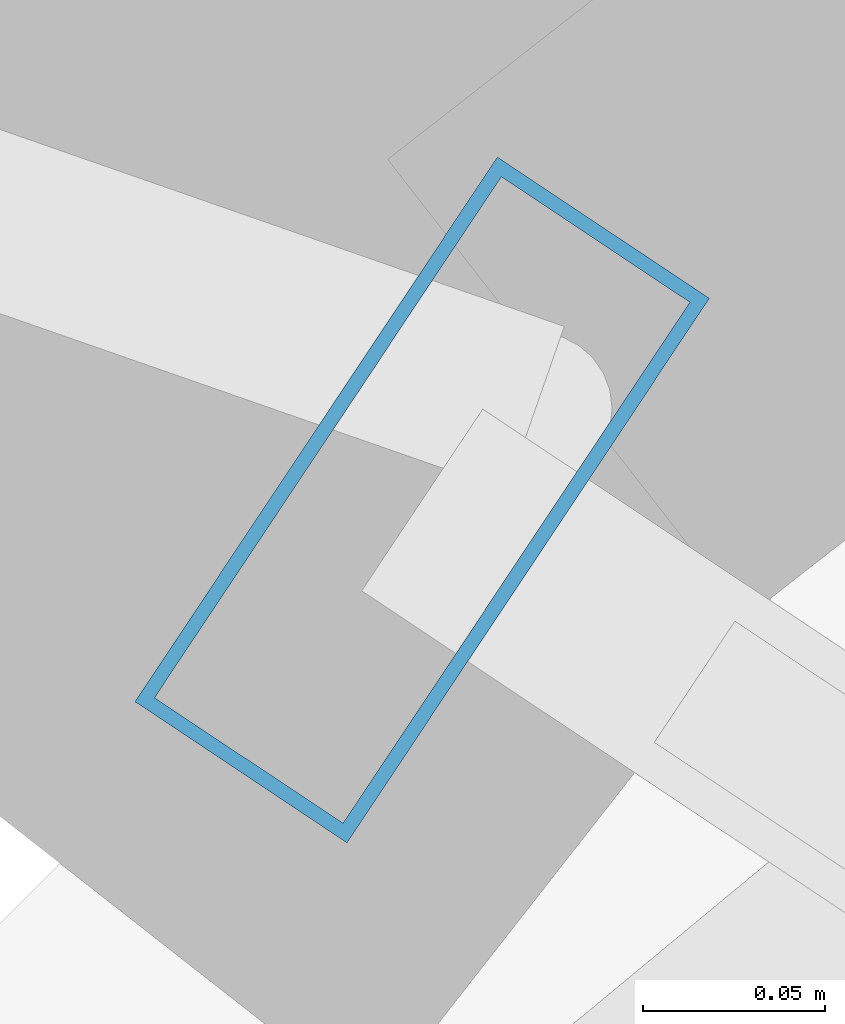
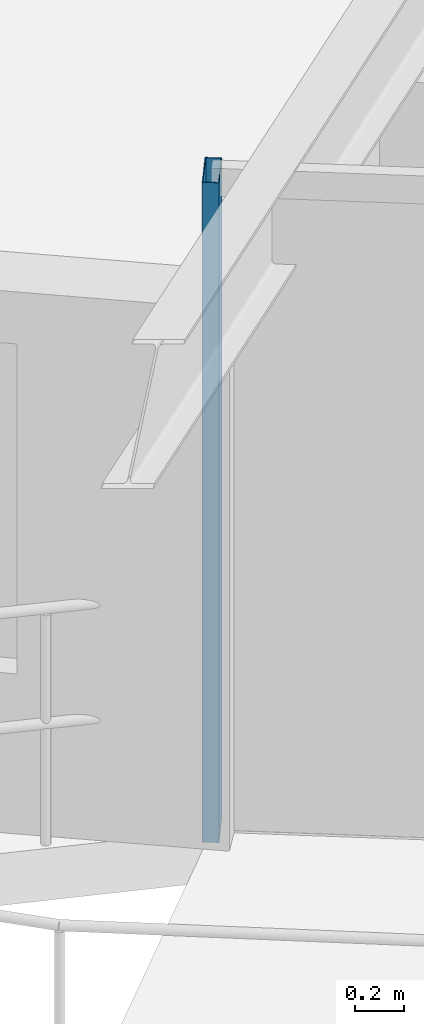
# One storey, part 2 of 19: 1 member, 1 element without a shape of its own.
"""IFC4 building model written with IfcOpenShell, lengths in metres."""

import ifcopenshell
import ifcopenshell.guid

model = None  # the IFC model being written
_history = None  # IfcOwnerHistory: only IFC2X3 demands one
_inside = {}  # id of a spatial element -> (the spatial element, [elements in it])
_under = {}  # id of a project, library or spatial element -> (it, [spatial elements below it])
_declared = {}  # id of a project -> (the project, [libraries it declares])
_typed = {}  # id of a type object -> (the type object, [elements of that type])
_made_of = {}  # id of a material, layer set ... -> (it, [elements and type objects made of it])


def new_model(schema):
    """Start an empty IFC model of exactly this schema.

    Asked for "IFC4X3", IfcOpenShell would pick the latest addendum, in which some entities
    have other attributes; the version numbers below select the first issue.
    IFC2X3 requires an IfcOwnerHistory on every rooted entity: one is made here for all.
    """
    global model, _history
    if schema == "IFC4X3":
        model = ifcopenshell.file(schema_version=(4, 3, 0, 0))
    else:
        model = ifcopenshell.file(schema=schema)
    _inside.clear()
    _under.clear()
    _declared.clear()
    _typed.clear()
    _made_of.clear()
    _history = None
    if model.schema == "IFC2X3":
        org = make("IfcOrganization", Name="unknown")
        user = make(
            "IfcPersonAndOrganization",
            ThePerson=make("IfcPerson", FamilyName="unknown"),
            TheOrganization=org,
        )
        app = make(
            "IfcApplication",
            ApplicationDeveloper=org,
            Version="unknown",
            ApplicationFullName="unknown",
            ApplicationIdentifier="unknown",
        )
        _history = make(
            "IfcOwnerHistory",
            OwningUser=user,
            OwningApplication=app,
            ChangeAction="ADDED",
            CreationDate=0,
        )
    return model


def make(cls, **values):
    """One entity of the class cls with the attributes given. An attribute that is None is left unset."""
    return model.create_entity(
        cls, **{name: value for name, value in values.items() if value is not None}
    )


def rooted(cls, **values):
    """An entity with a GlobalId (a new one), such as an element, a storey or a relation."""
    return make(cls, GlobalId=ifcopenshell.guid.new(), OwnerHistory=_history, **values)


def si_unit(unit_type, name, prefix=None):
    """IfcSIUnit, for example si_unit("LENGTHUNIT", "METRE", prefix="MILLI")."""
    return make("IfcSIUnit", UnitType=unit_type, Prefix=prefix, Name=name)


def assignment(units):
    """IfcUnitAssignment: the units of a project."""
    return None if units is None else make("IfcUnitAssignment", Units=units)


def point(xyz):
    """IfcCartesianPoint."""
    return None if xyz is None else make("IfcCartesianPoint", Coordinates=xyz)


def direction(xyz):
    """IfcDirection."""
    return None if xyz is None else make("IfcDirection", DirectionRatios=xyz)


def frame(location, z_axis=None, x_axis=None):
    """IfcAxis2Placement3D, a coordinate frame: its origin and axes. An axis left out is left unset."""
    return make(
        "IfcAxis2Placement3D",
        Location=point(location),
        Axis=direction(z_axis),
        RefDirection=direction(x_axis),
    )


def frame_2d(location, x_axis=None):
    """IfcAxis2Placement2D, a coordinate frame in the plane: its origin and x axis."""
    return make(
        "IfcAxis2Placement2D", Location=point(location), RefDirection=direction(x_axis)
    )


def origin():
    """The frame at (0, 0, 0) with its axes left unset."""
    return frame((0.0, 0.0, 0.0))


def origin_2d():
    """The frame at (0, 0) in the plane with its x axis left unset."""
    return frame_2d((0.0, 0.0))


def place(relative_to, where):
    """IfcLocalPlacement: puts the frame where relative to a parent placement (None: the world)."""
    return make(
        "IfcLocalPlacement", PlacementRelTo=relative_to, RelativePlacement=where
    )


def context(
    kind, dimensions, precision=None, world=None, true_north=None, identifier=None
):
    """IfcGeometricRepresentationContext, for example the 3D "Model" context."""
    return make(
        "IfcGeometricRepresentationContext",
        ContextIdentifier=identifier,
        ContextType=kind,
        CoordinateSpaceDimension=dimensions,
        Precision=precision,
        WorldCoordinateSystem=world,
        TrueNorth=true_north,
    )


def subcontext(parent, identifier, kind, view, scale=None):
    """IfcGeometricRepresentationSubContext, for example "Body" below "Model"."""
    return make(
        "IfcGeometricRepresentationSubContext",
        ContextIdentifier=identifier,
        ContextType=kind,
        ParentContext=parent,
        TargetScale=scale,
        TargetView=view,
    )


def project(units=None, contexts=None):
    """IfcProject with its units and contexts."""
    return rooted(
        "IfcProject",
        Name="project",
        RepresentationContexts=contexts,
        UnitsInContext=assignment(units),
    )


def spatial(cls, under=None, at=None, **own):
    """A site, building, storey or space (cls), placed at a placement, below another one or the project."""
    s = rooted(cls, ObjectPlacement=at, **own)
    if under is not None:
        _under.setdefault(under.id(), (under, []))[1].append(s)
    return s


def profile(cls, at=None, kind="AREA", **sizes):
    """A parametric profile (cls). Its sizes go by their IFC names, for example OverallWidth=200.0."""
    return make(cls, ProfileType=kind, Position=at, **sizes)


def hollow_rectangle(**sizes):
    """IfcRectangleHollowProfileDef."""
    return profile("IfcRectangleHollowProfileDef", **sizes)


def extrude(swept, where, along, depth):
    """IfcExtrudedAreaSolid: the profile swept, set in the frame where, extruded along a direction by depth."""
    return make(
        "IfcExtrudedAreaSolid",
        SweptArea=swept,
        Position=where,
        ExtrudedDirection=direction(along),
        Depth=depth,
    )


def shape(context_of_items, identifier, shape_type, items):
    """IfcShapeRepresentation: the items that make up one representation, for example the "Body"."""
    return make(
        "IfcShapeRepresentation",
        ContextOfItems=context_of_items,
        RepresentationIdentifier=identifier,
        RepresentationType=shape_type,
        Items=items,
    )


def material(Name=None, Category=None):
    """IfcMaterial."""
    return make("IfcMaterial", Name=Name, Category=Category)


def layer(
    of_material, thickness, ventilated=None, Name=None, Category=None, Priority=None
):
    """IfcMaterialLayer: one layer of a wall or slab, of a material (None: an air gap)."""
    return make(
        "IfcMaterialLayer",
        Material=of_material,
        LayerThickness=thickness,
        IsVentilated=ventilated,
        Name=Name,
        Category=Category,
        Priority=Priority,
    )


def layer_set(layers, Name=None):
    """IfcMaterialLayerSet."""
    return make("IfcMaterialLayerSet", MaterialLayers=layers, LayerSetName=Name)


def material_profile(
    of_material, cross_section, Name=None, Category=None, Priority=None
):
    """IfcMaterialProfile: a cross section and its material."""
    return make(
        "IfcMaterialProfile",
        Name=Name,
        Material=of_material,
        Profile=cross_section,
        Priority=Priority,
        Category=Category,
    )


def profile_set(profiles, Name=None, composite=None):
    """IfcMaterialProfileSet."""
    return make(
        "IfcMaterialProfileSet",
        Name=Name,
        MaterialProfiles=profiles,
        CompositeProfile=composite,
    )


def made_of(thing, what):
    """Note that an element or type object is made of a material, layer set ...; save() writes the relation."""
    if what is not None:
        _made_of.setdefault(what.id(), (what, []))[1].append(thing)
    return thing


def type_object(cls, material=None, **own):
    """A type object (cls), such as IfcWallType, which elements share."""
    return made_of(rooted(cls, **own), material)


def element(
    cls,
    number,
    at=None,
    inside=None,
    cuts=None,
    type_object=None,
    material=None,
    context=None,
    identifier="Body",
    shape_type=None,
    held_by="IfcProductDefinitionShape",
    body=None,
    shapes=None,
    **own,
):
    """One element of the class cls, such as IfcWall. Its Tag is "e" and its number.

    at: its placement. inside: the storey or other place that contains it. cuts: it is an
    opening in that element (IfcRelVoidsElement). A single representation is given by context,
    identifier, shape_type and body (its items); several are given by shapes. held_by: the class
    of the entity that holds the representations. save() writes the other relations.
    """
    e = rooted(cls, Tag="e%d" % number, ObjectPlacement=at, **own)
    if body is not None:
        shapes = [shape(context, identifier, shape_type, body)]
    if shapes is not None:
        e.Representation = make(held_by, Representations=shapes)
    if inside is not None:
        _inside.setdefault(inside.id(), (inside, []))[1].append(e)
    if cuts is not None:
        rooted(
            "IfcRelVoidsElement", RelatingBuildingElement=cuts, RelatedOpeningElement=e
        )
    if type_object is not None:
        _typed.setdefault(type_object.id(), (type_object, []))[1].append(e)
    return made_of(e, material)


def aggregate(whole, parts):
    """IfcRelAggregates: a whole, such as a stair, and the parts it consists of."""
    return rooted("IfcRelAggregates", RelatingObject=whole, RelatedObjects=parts)


def save(model, path):
    """Write the relations noted so far, then the file.

    IfcRelAggregates (storeys below a building ...), IfcRelContainedInSpatialStructure (elements
    in a storey), IfcRelDefinesByType, IfcRelAssociatesMaterial and IfcRelDeclares: one each for
    every whole, place, type object, material and project.
    """
    for whole, parts in _under.values():
        aggregate(whole, parts)
    for where, things in _inside.values():
        rooted(
            "IfcRelContainedInSpatialStructure",
            RelatedElements=things,
            RelatingStructure=where,
        )
    for kind, things in _typed.values():
        rooted("IfcRelDefinesByType", RelatedObjects=things, RelatingType=kind)
    for what, things in _made_of.values():
        rooted("IfcRelAssociatesMaterial", RelatedObjects=things, RelatingMaterial=what)
    for by, libraries in _declared.values():
        rooted("IfcRelDeclares", RelatingContext=by, RelatedDefinitions=libraries)
    model.write(path)


model = new_model("IFC4")

# Units and contexts
model_context = context("Model", 3, precision=1e-05, world=origin(), true_north=direction((0.0, 1.0)))
body_context = subcontext(model_context, "Body", "Model", "MODEL_VIEW")
ifc_project = project(units=[si_unit("LENGTHUNIT", "METRE"), si_unit("AREAUNIT", "SQUARE_METRE"), si_unit("VOLUMEUNIT", "CUBIC_METRE"), si_unit("PLANEANGLEUNIT", "RADIAN"), si_unit("MASSUNIT", "GRAM", prefix="KILO")], contexts=[model_context])

# Site, building, storey
site_placement = place(None, origin())
site = spatial("IfcSite", under=ifc_project, at=site_placement, CompositionType="ELEMENT")
building_placement = place(site_placement, origin())
building = spatial("IfcBuilding", under=site, at=building_placement, Name="Veldorina Hangang Commons", CompositionType="ELEMENT")
storey_placement = place(building_placement, frame((0.0, 0.0, 77.199951171875)))
storey = spatial("IfcBuildingStorey", under=building, at=storey_placement, Name="L19", CompositionType="ELEMENT", Elevation=77.199951171875)

# Curtain wall, member
ifc_material_1 = material(Name="Glass Low-E Triple IGU", Category="glass")
ifc_layer = layer(ifc_material_1, 0.179931640625)
ifc_layer_set = layer_set([ifc_layer], Name="Glass Low-E Triple IGU")
curtain_wall_type = type_object("IfcCurtainWallType", Name="CW-SYS-Z1", PredefinedType="NOTDEFINED", material=ifc_layer_set)
curtain_wall_placement = place(storey_placement, origin())
curtain_wall = element("IfcCurtainWall", 1, at=curtain_wall_placement, inside=storey, type_object=curtain_wall_type, Name="L19 unitised curtain wall CW-L19-R1", PredefinedType="NOTDEFINED")
ifc_material_2 = material(Name="Aluminium Anodized AA6063-T6", Category="aluminium")
ifc_material_profile = material_profile(ifc_material_2, hollow_rectangle(XDim=0.070068359375, YDim=0.179931640625, WallThickness=0.00390625, at=origin_2d()), Name="ALU-RHS-180x70x4")
ifc_profile_set = profile_set([ifc_material_profile], Name="Aluminium Anodized AA6063-T6")
member_type = type_object("IfcMemberType", Name="CW-MUL-180", PredefinedType="MULLION", material=ifc_profile_set)
member_placement = place(storey_placement, frame((13.282470703125, 8.818115234375, 0.0), z_axis=(0.0, 0.0, 1.0), x_axis=(0.832428327075, -0.554132728038, 0.0)))
member = element("IfcMember", 2, at=member_placement, type_object=member_type, Name="CW-L19-R1 vertical mullion 1", PredefinedType="MULLION", context=body_context, shape_type="SweptSolid", body=[
    extrude(hollow_rectangle(XDim=0.070068359375, YDim=0.179931640625, WallThickness=0.00390625, at=origin_2d()), origin(), (0.0, 0.0, 1.0), 3.300048828125),
])
aggregate(curtain_wall, [member])

save(model, "model.ifc")
